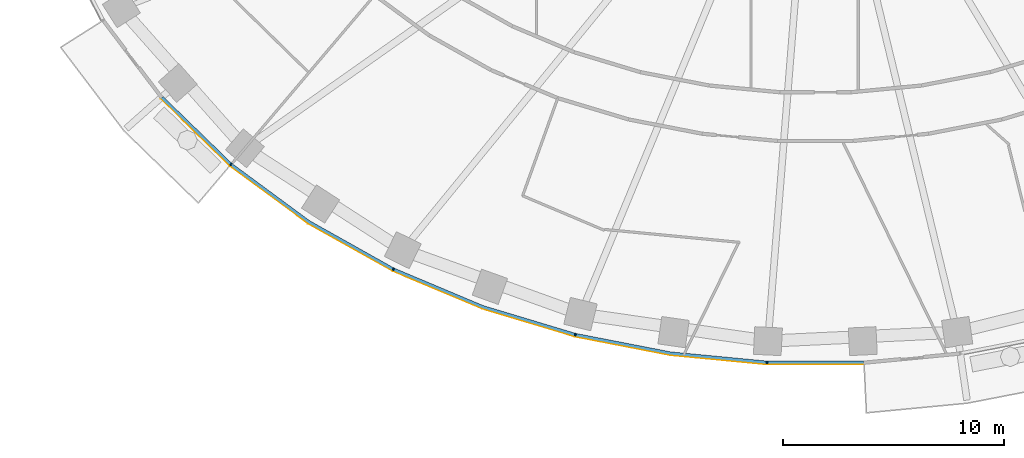
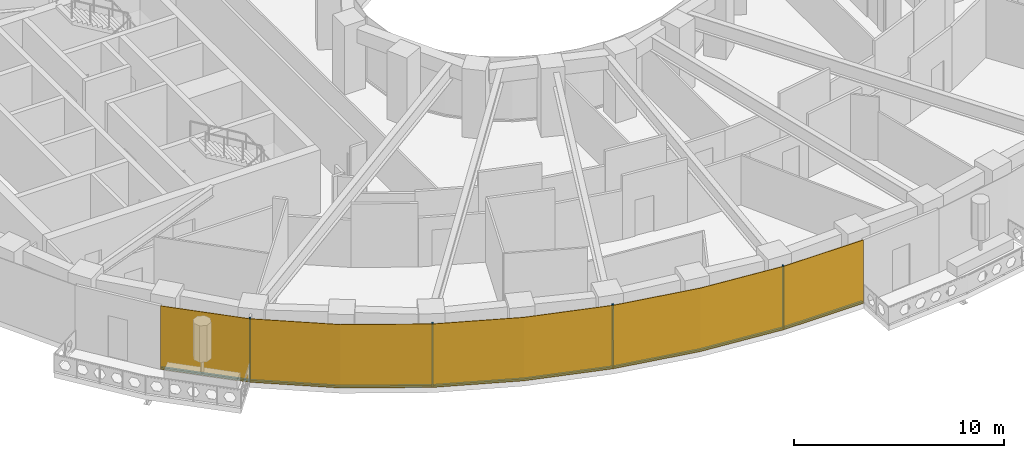
# One storey, part 9 of 17: 9 members, 1 curtain wall.
"""IFC4 building model written with IfcOpenShell, lengths in metres."""

from ifc_helpers import new_model, si_unit, direction, frame, origin, origin_2d, place, context, subcontext, project, spatial, polyline, rectangle, outline, extrude, material, layer, layer_set, material_profile, profile_set, type_object, element, aggregate, save


model = new_model("IFC4")

# Units and contexts
model_context = context("Model", 3, precision=1e-05, world=origin(), true_north=direction((0.0, 1.0)))
body_context = subcontext(model_context, "Body", "Model", "MODEL_VIEW")
ifc_project = project(units=[si_unit("LENGTHUNIT", "METRE"), si_unit("AREAUNIT", "SQUARE_METRE"), si_unit("VOLUMEUNIT", "CUBIC_METRE"), si_unit("PLANEANGLEUNIT", "RADIAN"), si_unit("MASSUNIT", "GRAM", prefix="KILO")], contexts=[model_context])

# Member
ifc_material_1 = material(Name="Aluminium 6063-T6 black anodised", Category="aluminium")
ifc_material_profile = material_profile(ifc_material_1, rectangle(XDim=0.1201171875, YDim=0.06005859375, at=origin_2d()), Name="120x60")
ifc_profile_set = profile_set([ifc_material_profile], Name="Aluminium 6063-T6 black anodised")
member_type_1 = type_object("IfcMemberType", Name="ENV-MULLION-A-120", PredefinedType="MULLION", material=ifc_profile_set)
site_placement = place(None, origin())
building_placement = place(site_placement, origin())
storey_placement = place(building_placement, frame((0.0, 0.0, 120.0)))
member_1_placement = place(storey_placement, frame((-26.403564453125, -18.9130859375, 0.0), z_axis=(0.0, 0.0, 1.0), x_axis=(0.646451313783, 0.762955240435, 0.0)))
member_1 = element("IfcMember", 1, at=member_1_placement, type_object=member_type_1, Name="Mullion A radial 29", PredefinedType="MULLION", context=body_context, shape_type="SweptSolid", body=[
    extrude(rectangle(XDim=0.1201171875, YDim=0.06005859375, at=origin_2d()), origin(), (0.0, 0.0, 1.0), 3.699951171875),
])

member_2_placement = place(storey_placement, frame((-19.06787109375, -23.6474609375, 0.0), z_axis=(0.0, 0.0, 1.0), x_axis=(0.439237769837, 0.898370848563, 0.0)))
member_2 = element("IfcMember", 2, at=member_2_placement, type_object=member_type_1, Name="Mullion A radial 31", PredefinedType="MULLION", context=body_context, shape_type="SweptSolid", body=[
    extrude(rectangle(XDim=0.1201171875, YDim=0.06005859375, at=origin_2d()), origin(), (0.0, 0.0, 1.0), 3.699951171875),
])

member_3_placement = place(storey_placement, frame((-10.84326171875, -26.60498046875, 0.0), z_axis=(0.0, 0.0, 1.0), x_axis=(0.239799081534, 0.970822538106, 0.0)))
member_3 = element("IfcMember", 3, at=member_3_placement, type_object=member_type_1, Name="Mullion A radial 33", PredefinedType="MULLION", context=body_context, shape_type="SweptSolid", body=[
    extrude(rectangle(XDim=0.1201171875, YDim=0.06005859375, at=origin_2d()), origin(), (0.0, 0.0, 1.0), 3.699951171875),
])

member_4_placement = place(storey_placement, frame((-2.188720703125, -27.856201171875, 0.0), z_axis=(0.0, 0.0, 1.0), x_axis=(0.047557873581, 0.998868484166, 0.0)))
member_4 = element("IfcMember", 4, at=member_4_placement, type_object=member_type_1, Name="Mullion A radial 35", PredefinedType="MULLION", context=body_context, shape_type="SweptSolid", body=[
    extrude(rectangle(XDim=0.1201171875, YDim=0.06005859375, at=origin_2d()), origin(), (0.0, 0.0, 1.0), 3.699951171875),
])

ifc_material_2 = material(Name="Aluminium 6063-T6 black anodised", Category="aluminium")
member_type_2 = type_object("IfcMemberType", Name="ENV-TRANSOM-A", PredefinedType="USERDEFINED", material=ifc_material_2)
member_5_placement = place(storey_placement, origin())
member_5 = element("IfcMember", 5, at=member_5_placement, type_object=member_type_2, Name="Transom A radial 28-29", ObjectType="TRANSOM", PredefinedType="USERDEFINED", context=body_context, shape_type="SweptSolid", body=[
    extrude(outline(polyline([(-29.569091796875, -15.9208984375), (-26.46240234375, -18.939208984375), (-26.384765625, -18.847412109375), (-29.47900390625, -15.841064453125), (-29.569091796875, -15.9208984375)])), origin(), (0.0, 0.0, 1.0), 0.10009765625),
])

member_6_placement = place(storey_placement, origin())
member_6 = element("IfcMember", 6, at=member_6_placement, type_object=member_type_2, Name="Transom A radial 29-31", ObjectType="TRANSOM", PredefinedType="USERDEFINED", context=body_context, shape_type="SweptSolid", body=[
    extrude(outline(polyline([(-26.419921875, -18.975341796875), (-22.9150390625, -21.556884765625), (-19.11865234375, -23.687744140625), (-19.06591796875, -23.57958984375), (-22.85009765625, -21.455810546875), (-26.342041015625, -18.883544921875), (-26.419921875, -18.975341796875)])), origin(), (0.0, 0.0, 1.0), 0.10009765625),
])

member_7_placement = place(storey_placement, origin())
member_7 = element("IfcMember", 7, at=member_7_placement, type_object=member_type_2, Name="Transom A radial 31-33", ObjectType="TRANSOM", PredefinedType="USERDEFINED", context=body_context, shape_type="SweptSolid", body=[
    extrude(outline(polyline([(-19.068359375, -23.71240234375), (-15.054443359375, -25.400146484375), (-10.884521484375, -26.655029296875), (-10.855712890625, -26.53857421875), (-15.013916015625, -25.287109375), (-19.015380859375, -23.604248046875), (-19.068359375, -23.71240234375)])), origin(), (0.0, 0.0, 1.0), 0.10009765625),
])

member_8_placement = place(storey_placement, origin())
member_8 = element("IfcMember", 8, at=member_8_placement, type_object=member_type_2, Name="Transom A radial 33-35", ObjectType="TRANSOM", PredefinedType="USERDEFINED", context=body_context, shape_type="SweptSolid", body=[
    extrude(outline(polyline([(-10.830078125, -26.66845703125), (-6.55517578125, -27.49951171875), (-2.219482421875, -27.913330078125), (-2.2138671875, -27.793212890625), (-6.537841796875, -27.380615234375), (-10.80126953125, -26.552001953125), (-10.830078125, -26.66845703125)])), origin(), (0.0, 0.0, 1.0), 0.10009765625),
])

member_9_placement = place(storey_placement, origin())
member_9 = element("IfcMember", 9, at=member_9_placement, type_object=member_type_2, Name="Transom A radial 35-36", ObjectType="TRANSOM", PredefinedType="USERDEFINED", context=body_context, shape_type="SweptSolid", body=[
    extrude(outline(polyline([(-2.163818359375, -27.916015625), (2.171630859375, -27.916015625), (2.166015625, -27.7958984375), (-2.157958984375, -27.7958984375), (-2.163818359375, -27.916015625)])), origin(), (0.0, 0.0, 1.0), 0.10009765625),
])

# Site, building, storey
site = spatial("IfcSite", under=ifc_project, at=site_placement, CompositionType="ELEMENT")
building = spatial("IfcBuilding", under=site, at=building_placement, Name="Noorbagh Ring Tower", CompositionType="ELEMENT")
storey = spatial("IfcBuildingStorey", under=building, at=storey_placement, Name="L27", CompositionType="ELEMENT", Elevation=120.0)

# Curtain wall
ifc_material_3 = material(Name="Glass dark tinted laminated", Category="glass")
ifc_layer = layer(ifc_material_3, 0.031982421875)
ifc_layer_set = layer_set([ifc_layer], Name="Glass dark tinted laminated")
curtain_wall_type = type_object("IfcCurtainWallType", Name="ENV-CW-A", PredefinedType="NOTDEFINED", material=ifc_layer_set)
curtain_wall_placement = place(storey_placement, origin())
curtain_wall = element("IfcCurtainWall", 10, at=curtain_wall_placement, inside=storey, type_object=curtain_wall_type, Name="Curtain wall A R28", PredefinedType="NOTDEFINED", context=body_context, shape_type="SweptSolid", body=[
    extrude(outline(polyline([(-29.59326171875, -15.942138671875), (-26.463134765625, -18.9833984375), (-22.9326171875, -21.583740234375), (-19.108154296875, -23.730224609375), (-15.065185546875, -25.430419921875), (-10.865234375, -26.6943359375), (-6.559814453125, -27.53125), (-2.193115234375, -27.947998046875), (2.173095703125, -27.947998046875), (2.171630859375, -27.916015625), (-2.191650390625, -27.916015625), (-6.55517578125, -27.49951171875), (-10.857666015625, -26.6630859375), (-15.054443359375, -25.400146484375), (-19.093994140625, -23.701416015625), (-22.9150390625, -21.556884765625), (-26.4423828125, -18.958740234375), (-29.569091796875, -15.9208984375), (-29.59326171875, -15.942138671875)])), origin(), (0.0, 0.0, 1.0), 3.699951171875),
])

aggregate(curtain_wall, [member_1, member_2, member_3, member_4, member_5, member_6, member_7, member_8, member_9])

save(model, "model.ifc")
